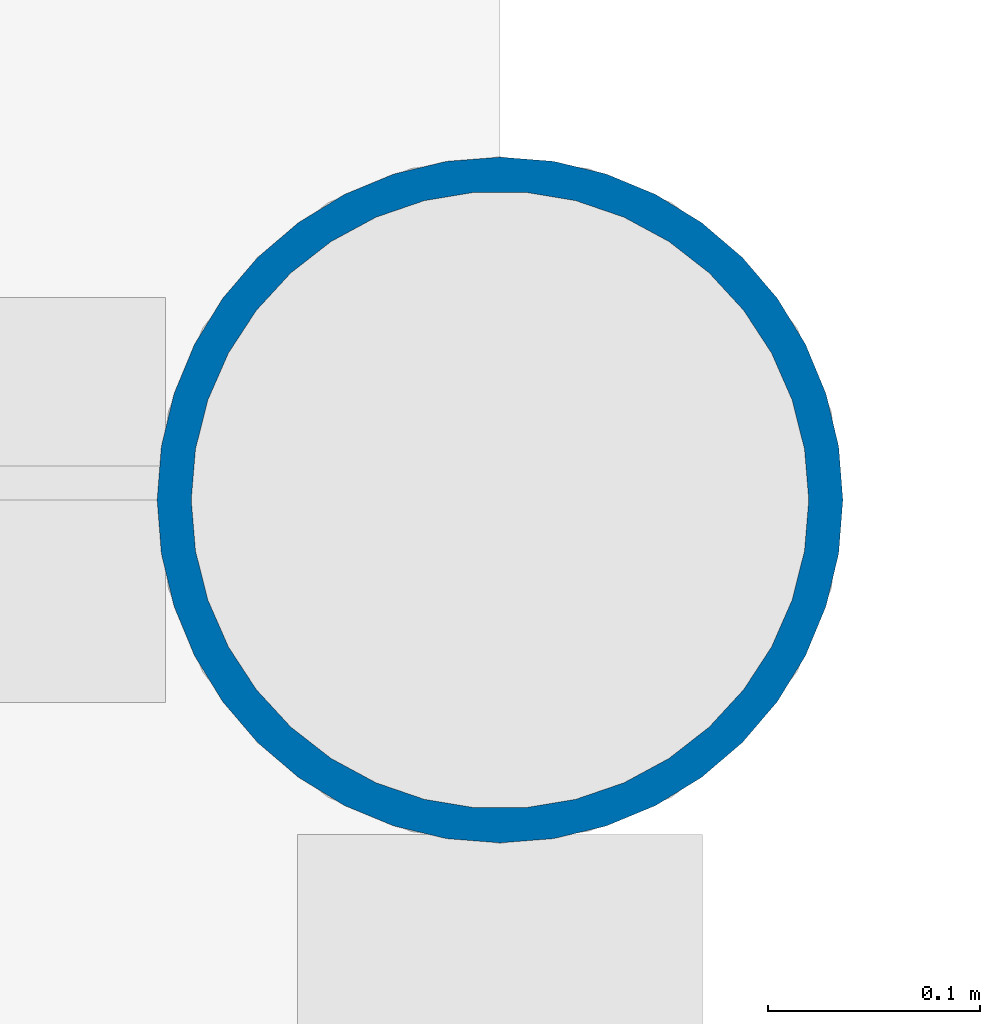
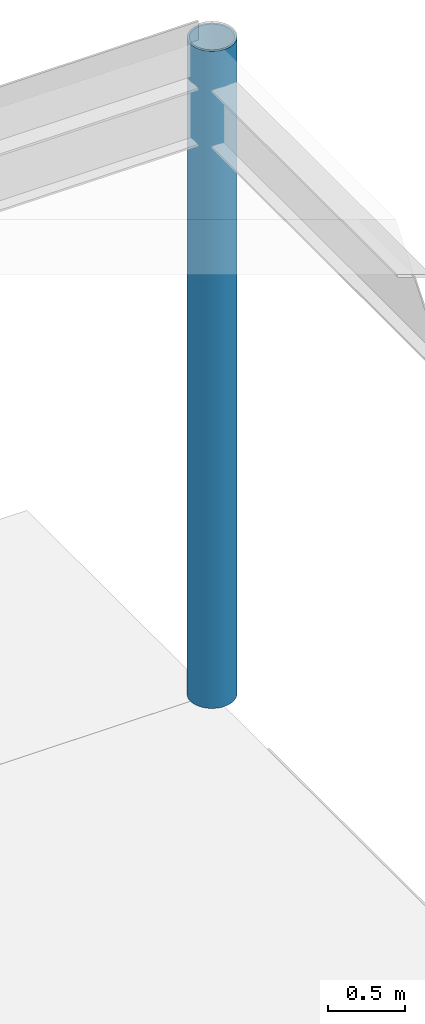
# One storey, part 20 of 84: 1 column.
"""IFC4 building model written with IfcOpenShell, lengths in metres."""

from ifc_helpers import new_model, si_unit, direction, frame, origin, origin_2d, place, context, subcontext, project, spatial, hollow_circle, extrude, material, material_profile, profile_set, type_object, element, save


model = new_model("IFC4")

# Units and contexts
model_context = context("Model", 3, precision=1e-05, world=origin(), true_north=direction((0.0, 1.0)))
body_context = subcontext(model_context, "Body", "Model", "MODEL_VIEW")
ifc_project = project(units=[si_unit("LENGTHUNIT", "METRE"), si_unit("AREAUNIT", "SQUARE_METRE"), si_unit("VOLUMEUNIT", "CUBIC_METRE"), si_unit("PLANEANGLEUNIT", "RADIAN"), si_unit("MASSUNIT", "GRAM", prefix="KILO")], contexts=[model_context])

# Site, building, storey
site_placement = place(None, origin())
site = spatial("IfcSite", under=ifc_project, at=site_placement, CompositionType="ELEMENT")
building_placement = place(site_placement, origin())
building = spatial("IfcBuilding", under=site, at=building_placement, Name="Kisiwana Market Hall", CompositionType="ELEMENT")
storey_placement = place(building_placement, origin())
storey = spatial("IfcBuildingStorey", under=building, at=storey_placement, Name="L00", CompositionType="ELEMENT", Elevation=0.0)

# Column
ifc_material = material(Name="Steel S355", Category="steel")
ifc_material_profile = material_profile(ifc_material, hollow_circle(Radius=0.161865234375, WallThickness=0.01611328125, at=origin_2d()), Name="CHS 323.9x16.0")
ifc_profile_set = profile_set([ifc_material_profile], Name="Steel S355")
column_type = type_object("IfcColumnType", Name="COL-STL-CHS324", PredefinedType="COLUMN", material=ifc_profile_set)
column_placement = place(storey_placement, frame((198.0, 126.0, 0.0), z_axis=(0.0, 0.0, 1.0), x_axis=(1.0, 0.0, 0.0)))
element("IfcColumn", 1, at=column_placement, inside=storey, type_object=column_type, Name="Column R/23 (L00) C-0333", PredefinedType="COLUMN", context=body_context, shape_type="SweptSolid", body=[
    extrude(hollow_circle(Radius=0.161865234375, WallThickness=0.01611328125, at=origin_2d()), origin(), (0.0, 0.0, 1.0), 5.199951171875),
])

save(model, "model.ifc")
